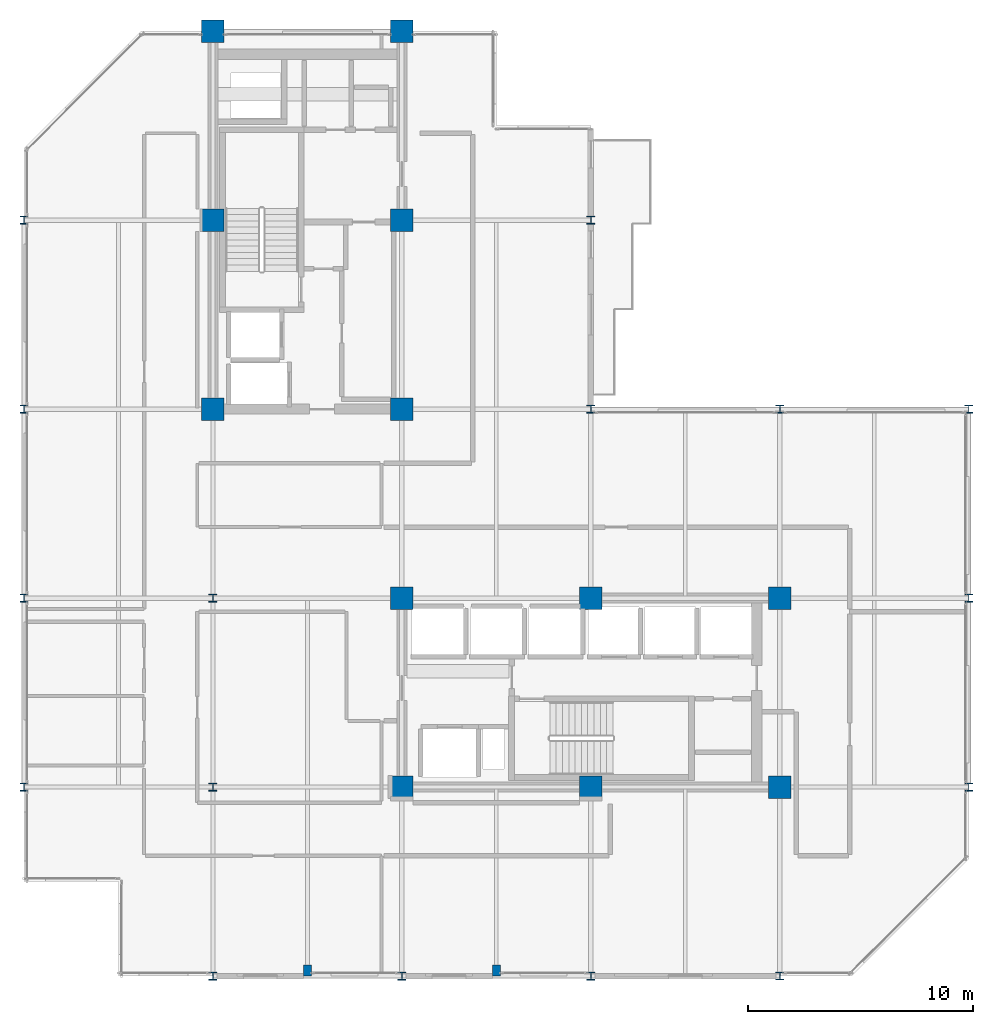
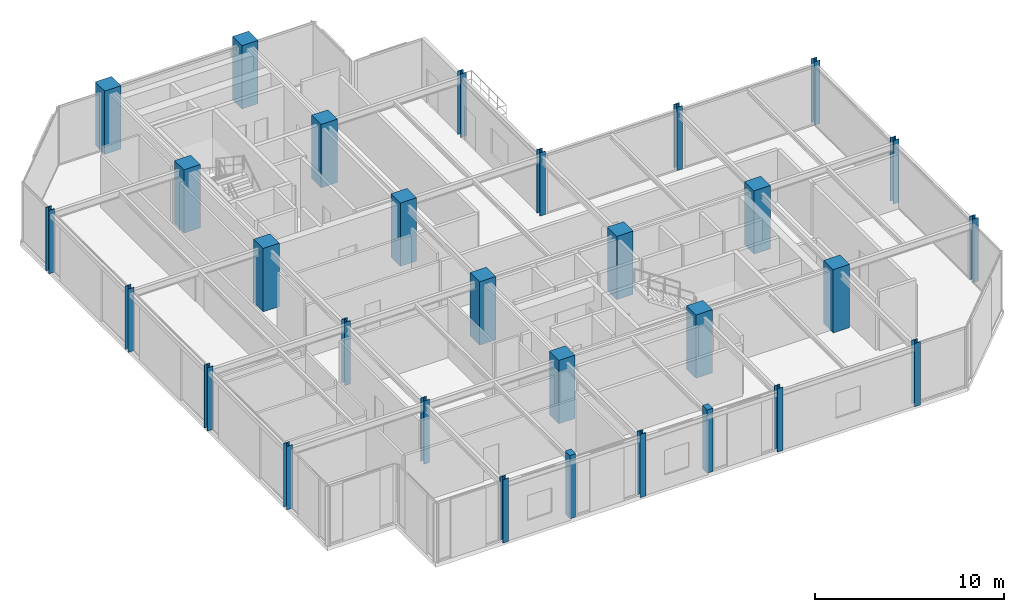
# One storey, part 1 of 25: 30 columns.
"""IFC4 building model written with IfcOpenShell, lengths in metres."""

from ifc_helpers import new_model, si_unit, direction, frame, origin, origin_2d, place, context, subcontext, project, spatial, rectangle, i_section, extrude, material, material_profile, profile_set, type_object, element, save


model = new_model("IFC4")

# Units and contexts
model_context = context("Model", 3, precision=1e-05, world=origin(), true_north=direction((0.0, 1.0)))
body_context = subcontext(model_context, "Body", "Model", "MODEL_VIEW")
ifc_project = project(units=[si_unit("LENGTHUNIT", "METRE"), si_unit("AREAUNIT", "SQUARE_METRE"), si_unit("VOLUMEUNIT", "CUBIC_METRE"), si_unit("PLANEANGLEUNIT", "RADIAN"), si_unit("MASSUNIT", "GRAM", prefix="KILO")], contexts=[model_context])

# Site, building, storey
site_placement = place(None, origin())
site = spatial("IfcSite", under=ifc_project, at=site_placement, CompositionType="ELEMENT")
building_placement = place(site_placement, origin())
building = spatial("IfcBuilding", under=site, at=building_placement, Name="Nerrivon Quay Data Exchange", CompositionType="ELEMENT")
storey_placement = place(building_placement, frame((0.0, 0.0, 224.699951171875)))
storey = spatial("IfcBuildingStorey", under=building, at=storey_placement, Name="L53", CompositionType="ELEMENT", Elevation=224.699951171875)

# Columns
ifc_material_1 = material(Name="Concrete S65 (65 MPa)", Category="concrete")
ifc_material_profile_1 = material_profile(ifc_material_1, rectangle(XDim=1.0, YDim=1.0, at=origin_2d()), Name="RC-COL-1000x1000")
ifc_profile_set_1 = profile_set([ifc_material_profile_1], Name="Concrete S65 (65 MPa)")
column_type_1 = type_object("IfcColumnType", Name="COL-C4-1000", PredefinedType="COLUMN", material=ifc_profile_set_1)
for number, where, z_axis, x_axis, name in (
    (1, (8.39990234375, 25.199951171875, 0.0), (0.0, 0.0, 1.0), (1.0, 0.0, 0.0), "L53 Column (8.4,25.2)"),
    (2, (8.39990234375, 33.60009765625, 0.0), (0.0, 0.0, 1.0), (1.0, 0.0, 0.0), "L53 Column (8.4,33.6)"),
    (3, (8.39990234375, 42.0, 0.0), (0.0, 0.0, 1.0), (1.0, 0.0, 0.0), "L53 Column (8.4,42.0)"),
    (4, (16.800048828125, 8.39990234375, 0.0), (0.0, 0.0, 1.0), (1.0, 0.0, 0.0), "L53 Column (16.8,8.4)"),
    (5, (16.800048828125, 16.800048828125, 0.0), (0.0, 0.0, 1.0), (1.0, 0.0, 0.0), "L53 Column (16.8,16.8)"),
    (6, (16.800048828125, 25.199951171875, 0.0), (0.0, 0.0, 1.0), (1.0, 0.0, 0.0), "L53 Column (16.8,25.2)"),
    (7, (16.800048828125, 33.60009765625, 0.0), (0.0, 0.0, 1.0), (1.0, 0.0, 0.0), "L53 Column (16.8,33.6)"),
    (8, (16.800048828125, 42.0, 0.0), (0.0, 0.0, 1.0), (1.0, 0.0, 0.0), "L53 Column (16.8,42.0)"),
    (9, (25.199951171875, 8.39990234375, 0.0), (0.0, 0.0, 1.0), (1.0, 0.0, 0.0), "L53 Column (25.2,8.4)"),
    (10, (25.199951171875, 16.800048828125, 0.0), (0.0, 0.0, 1.0), (1.0, 0.0, 0.0), "L53 Column (25.2,16.8)"),
    (11, (33.60009765625, 8.39990234375, 0.0), (0.0, 0.0, 1.0), (1.0, 0.0, 0.0), "L53 Column (33.6,8.4)"),
    (12, (33.60009765625, 16.800048828125, 0.0), (0.0, 0.0, 1.0), (1.0, 0.0, 0.0), "L53 Column (33.6,16.8)"),
):
    element("IfcColumn", number, at=place(storey_placement, frame(where, z_axis=z_axis, x_axis=x_axis)), inside=storey, type_object=column_type_1, Name=name, PredefinedType="COLUMN", context=body_context, shape_type="SweptSolid", body=[
        extrude(rectangle(XDim=1.0, YDim=1.0, at=origin_2d()), origin(), (0.0, 0.0, 1.0), 4.10009765625),
    ])
ifc_material_2 = material(Name="Steel Grade 350", Category="steel")
ifc_material_profile_2 = material_profile(ifc_material_2, i_section(OverallWidth=0.35009765625, OverallDepth=0.35009765625, WebThickness=0.02001953125, FlangeThickness=0.031982421875, at=origin_2d()), Name="350WC230")
ifc_profile_set_2 = profile_set([ifc_material_profile_2], Name="Steel Grade 350")
column_type_2 = type_object("IfcColumnType", Name="COL-SC3-350WC", PredefinedType="COLUMN", material=ifc_profile_set_2)
for number, where, z_axis, x_axis, name in (
    (13, (0.0, 8.39990234375, 0.0), (0.0, 0.0, 1.0), (1.0, 0.0, 0.0), "L53 Column (0.0,8.4)"),
    (14, (0.0, 16.800048828125, 0.0), (0.0, 0.0, 1.0), (1.0, 0.0, 0.0), "L53 Column (0.0,16.8)"),
    (15, (0.0, 25.199951171875, 0.0), (0.0, 0.0, 1.0), (1.0, 0.0, 0.0), "L53 Column (0.0,25.2)"),
    (16, (0.0, 33.60009765625, 0.0), (0.0, 0.0, 1.0), (1.0, 0.0, 0.0), "L53 Column (0.0,33.6)"),
    (17, (8.39990234375, 0.0, 0.0), (0.0, 0.0, 1.0), (1.0, 0.0, 0.0), "L53 Column (8.4,0.0)"),
    (18, (8.39990234375, 8.39990234375, 0.0), (0.0, 0.0, 1.0), (1.0, 0.0, 0.0), "L53 Column (8.4,8.4)"),
    (19, (8.39990234375, 16.800048828125, 0.0), (0.0, 0.0, 1.0), (1.0, 0.0, 0.0), "L53 Column (8.4,16.8)"),
    (20, (16.800048828125, 0.0, 0.0), (0.0, 0.0, 1.0), (1.0, 0.0, 0.0), "L53 Column (16.8,0.0)"),
    (21, (25.199951171875, 0.0, 0.0), (0.0, 0.0, 1.0), (1.0, 0.0, 0.0), "L53 Column (25.2,0.0)"),
    (22, (25.199951171875, 25.199951171875, 0.0), (0.0, 0.0, 1.0), (1.0, 0.0, 0.0), "L53 Column (25.2,25.2)"),
    (23, (25.199951171875, 33.60009765625, 0.0), (0.0, 0.0, 1.0), (1.0, 0.0, 0.0), "L53 Column (25.2,33.6)"),
    (24, (33.60009765625, 0.0, 0.0), (0.0, 0.0, 1.0), (1.0, 0.0, 0.0), "L53 Column (33.6,0.0)"),
    (25, (33.60009765625, 25.199951171875, 0.0), (0.0, 0.0, 1.0), (1.0, 0.0, 0.0), "L53 Column (33.6,25.2)"),
    (26, (42.0, 8.39990234375, 0.0), (0.0, 0.0, 1.0), (1.0, 0.0, 0.0), "L53 Column (42.0,8.4)"),
    (27, (42.0, 16.800048828125, 0.0), (0.0, 0.0, 1.0), (1.0, 0.0, 0.0), "L53 Column (42.0,16.8)"),
    (28, (42.0, 25.199951171875, 0.0), (0.0, 0.0, 1.0), (1.0, 0.0, 0.0), "L53 Column (42.0,25.2)"),
):
    element("IfcColumn", number, at=place(storey_placement, frame(where, z_axis=z_axis, x_axis=x_axis)), inside=storey, type_object=column_type_2, Name=name, PredefinedType="COLUMN", context=body_context, shape_type="SweptSolid", body=[
        extrude(i_section(OverallWidth=0.35009765625, OverallDepth=0.35009765625, WebThickness=0.02001953125, FlangeThickness=0.031982421875, at=origin_2d()), origin(), (0.0, 0.0, 1.0), 4.10009765625),
    ])
ifc_material_3 = material(Name="Concrete N50 (50 MPa)", Category="concrete")
ifc_material_profile_3 = material_profile(ifc_material_3, rectangle(XDim=0.35009765625, YDim=0.5, at=origin_2d()), Name="RC-PIL-500x350")
ifc_profile_set_3 = profile_set([ifc_material_profile_3], Name="Concrete N50 (50 MPa)")
column_type_3 = type_object("IfcColumnType", Name="PIL-P2-500x350", PredefinedType="PILASTER", material=ifc_profile_set_3)
for number, where, z_axis, x_axis, name in (
    (29, (12.60009765625, 0.25, 0.0), (0.0, 0.0, 1.0), (1.0, 0.0, 0.0), "L53 Facade Pilaster (12.6)"),
    (30, (21.0, 0.25, 0.0), (0.0, 0.0, 1.0), (1.0, 0.0, 0.0), "L53 Facade Pilaster (21.0)"),
):
    element("IfcColumn", number, at=place(storey_placement, frame(where, z_axis=z_axis, x_axis=x_axis)), inside=storey, type_object=column_type_3, Name=name, PredefinedType="PILASTER", context=body_context, shape_type="SweptSolid", body=[
        extrude(rectangle(XDim=0.35009765625, YDim=0.5, at=origin_2d()), origin(), (0.0, 0.0, 1.0), 4.10009765625),
    ])

save(model, "model.ifc")
